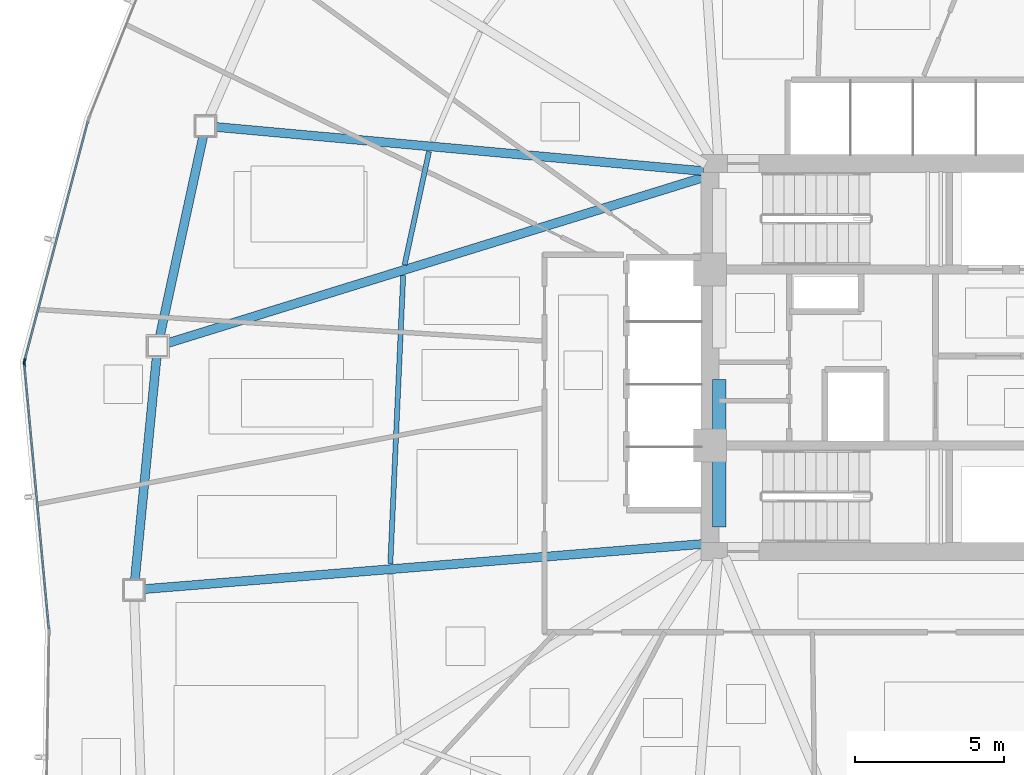
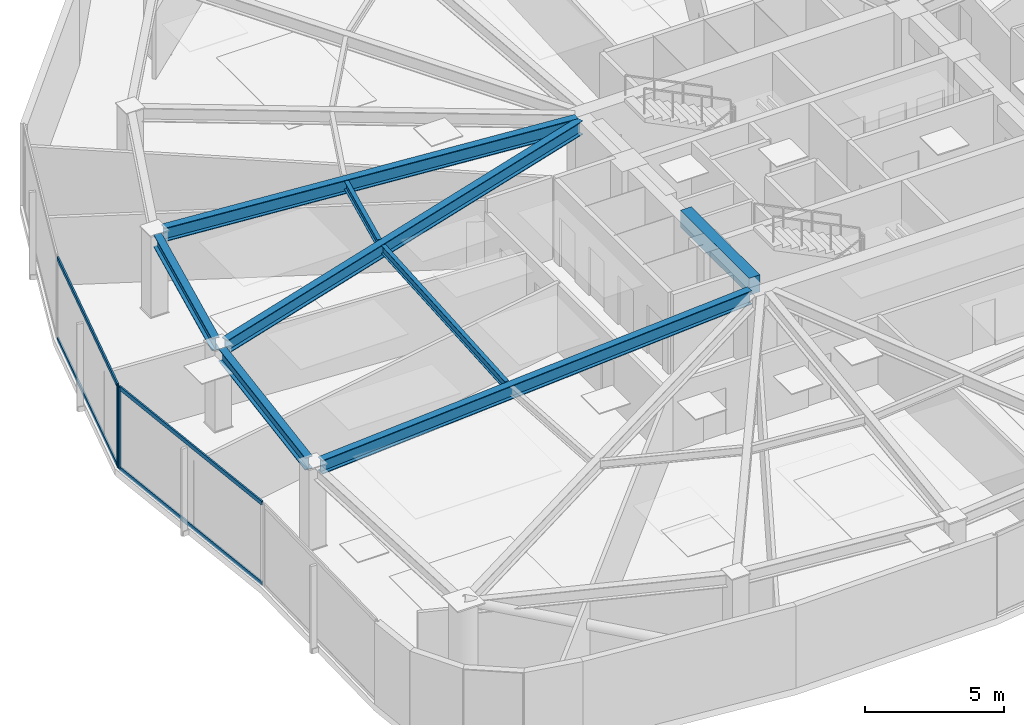
# One storey, part 4 of 17: 8 beams, 6 members, 2 elements without a shape of their own.
"""IFC4 building model written with IfcOpenShell, lengths in metres."""

from ifc_helpers import new_model, si_unit, direction, frame, origin, origin_2d, place, context, subcontext, project, spatial, rectangle, hollow_rectangle, i_section, extrude, source, transform, mapped, material, layer, layer_set, material_profile, profile_set, type_object, type_shapes, element, aggregate, save


model = new_model("IFC4")

# Units and contexts
model_context = context("Model", 3, precision=1e-05, world=origin(), true_north=direction((0.0, 1.0)))
body_context = subcontext(model_context, "Body", "Model", "MODEL_VIEW")
ifc_project = project(units=[si_unit("LENGTHUNIT", "METRE"), si_unit("AREAUNIT", "SQUARE_METRE"), si_unit("VOLUMEUNIT", "CUBIC_METRE"), si_unit("PLANEANGLEUNIT", "RADIAN"), si_unit("MASSUNIT", "GRAM", prefix="KILO")], contexts=[model_context])

# Site, building, storey
site_placement = place(None, origin())
site = spatial("IfcSite", under=ifc_project, at=site_placement, CompositionType="ELEMENT")
building_placement = place(site_placement, origin())
building = spatial("IfcBuilding", under=site, at=building_placement, Name="Tavelor Broadcast Tower", CompositionType="ELEMENT")
storey_placement = place(building_placement, frame((0.0, 0.0, 74.39990234375)))
storey = spatial("IfcBuildingStorey", under=building, at=storey_placement, Name="L17", CompositionType="ELEMENT", Elevation=74.39990234375)

# Beams
ifc_material_1 = material(Name="Concrete C40/50", Category="concrete")
ifc_material_profile_1 = material_profile(ifc_material_1, rectangle(XDim=0.449951171875, YDim=0.75, at=origin_2d()), Name="RC 450x750")
ifc_profile_set_1 = profile_set([ifc_material_profile_1], Name="Concrete C40/50")
beam_type_1 = type_object("IfcBeamType", Name="Basement Core Trim Beam 450x750", PredefinedType="BEAM", material=ifc_profile_set_1)
beam_1_placement = place(storey_placement, frame((43.39990234375, 39.327880859375, 3.22509765625), z_axis=(0.0, 1.0, 0.0), x_axis=(-1.0, 0.0, 0.0)))
element("IfcBeam", 1, at=beam_1_placement, inside=storey, type_object=beam_type_1, Name="L17 Core West-S Tie Girder", PredefinedType="BEAM", context=body_context, shape_type="SweptSolid", body=[
    extrude(rectangle(XDim=0.449951171875, YDim=0.75, at=origin_2d()), origin(), (0.0, 0.0, 1.0), 4.944091796875),
])
ifc_material_2 = material(Name="Steel S355", Category="steel")
ifc_material_profile_2 = material_profile(ifc_material_2, i_section(OverallWidth=0.169921875, OverallDepth=0.360107421875, WebThickness=0.008056640625, FlangeThickness=0.0126953125, at=origin_2d()), Name="IPE 360")
ifc_profile_set_2 = profile_set([ifc_material_profile_2], Name="Steel S355")
beam_type_2 = type_object("IfcBeamType", Name="Composite Floor Joist T2 IPE 360", PredefinedType="JOIST", material=ifc_profile_set_2)
beam_2_placement = place(storey_placement, frame((33.679931640625, 51.899658203125, 3.420166015625), z_axis=(-0.210632825907, -0.97756524726, 0.0), x_axis=(0.97756524726, -0.210632825907, 0.0)))
element("IfcBeam", 2, at=beam_2_placement, inside=storey, type_object=beam_type_2, Name="L17 Secondary Composite Floor Joist 04", PredefinedType="JOIST", context=body_context, shape_type="SweptSolid", body=[
    extrude(i_section(OverallWidth=0.169921875, OverallDepth=0.360107421875, WebThickness=0.008056640625, FlangeThickness=0.0126953125, at=origin_2d()), origin(), (0.0, 0.0, 1.0), 3.8818359375),
])
beam_3_placement = place(storey_placement, frame((32.816162109375, 47.747314453125, 3.420166015625), z_axis=(-0.044602263152, -0.999004823873, 0.0), x_axis=(0.999004823873, -0.044602263152, 0.0)))
element("IfcBeam", 3, at=beam_3_placement, inside=storey, type_object=beam_type_2, Name="L17 Secondary Composite Floor Joist 05", PredefinedType="JOIST", context=body_context, shape_type="SweptSolid", body=[
    extrude(i_section(OverallWidth=0.169921875, OverallDepth=0.360107421875, WebThickness=0.008056640625, FlangeThickness=0.0126953125, at=origin_2d()), origin(), (0.0, 0.0, 1.0), 9.66650390625),
])
ifc_material_profile_3 = material_profile(ifc_material_2, i_section(OverallWidth=0.300048828125, OverallDepth=0.550048828125, WebThickness=0.014892578125, FlangeThickness=0.029052734375, at=origin_2d()), Name="HEB 550")
ifc_profile_set_3 = profile_set([ifc_material_profile_3], Name="Steel S355")
beam_type_3 = type_object("IfcBeamType", Name="Perimeter Spandrel Beam T2 HEB 550", PredefinedType="SPANDREL", material=ifc_profile_set_3)
beam_4_placement = place(storey_placement, frame((26.1181640625, 52.4296875, 3.3251953125), z_axis=(-0.211875421449, -0.977296682582, 0.0), x_axis=(0.977296682582, -0.211875421449, 0.0)))
element("IfcBeam", 4, at=beam_4_placement, inside=storey, type_object=beam_type_3, Name="L17 Framed-Tube Ring Spandrel 04", PredefinedType="SPANDREL", context=body_context, shape_type="SweptSolid", body=[
    extrude(i_section(OverallWidth=0.300048828125, OverallDepth=0.550048828125, WebThickness=0.014892578125, FlangeThickness=0.029052734375, at=origin_2d()), origin(), (0.0, 0.0, 1.0), 6.876708984375),
])
beam_5_placement = place(storey_placement, frame((24.557373046875, 45.04638671875, 3.3251953125), z_axis=(-0.096929220198, -0.9952912771, 0.0), x_axis=(0.9952912771, -0.096929220198, 0.0)))
element("IfcBeam", 5, at=beam_5_placement, inside=storey, type_object=beam_type_3, Name="L17 Framed-Tube Ring Spandrel 05", PredefinedType="SPANDREL", context=body_context, shape_type="SweptSolid", body=[
    extrude(i_section(OverallWidth=0.300048828125, OverallDepth=0.550048828125, WebThickness=0.014892578125, FlangeThickness=0.029052734375, at=origin_2d()), origin(), (0.0, 0.0, 1.0), 7.531005859375),
])
ifc_material_profile_4 = material_profile(ifc_material_2, i_section(OverallWidth=0.300048828125, OverallDepth=0.60009765625, WebThickness=0.015380859375, FlangeThickness=0.030029296875, at=origin_2d()), Name="HEB 600")
ifc_profile_set_4 = profile_set([ifc_material_profile_4], Name="Steel S355")
beam_type_4 = type_object("IfcBeamType", Name="Radial Floor Girder T2 HEB 600", PredefinedType="BEAM", material=ifc_profile_set_4)
beam_6_placement = place(storey_placement, frame((42.874267578125, 51.24755859375, 3.300048828125), z_axis=(-0.99592702313, 0.090162989073, 0.0), x_axis=(-0.090162989073, -0.99592702313, 0.0)))
element("IfcBeam", 6, at=beam_6_placement, inside=storey, type_object=beam_type_4, Name="L17 Radial Primary Floor Girder 04", PredefinedType="BEAM", context=body_context, shape_type="SweptSolid", body=[
    extrude(i_section(OverallWidth=0.300048828125, OverallDepth=0.60009765625, WebThickness=0.015380859375, FlangeThickness=0.030029296875, at=origin_2d()), origin(), (0.0, 0.0, 1.0), 16.417236328125),
])
beam_7_placement = place(storey_placement, frame((42.8955078125, 51.0439453125, 3.300048828125), z_axis=(-0.9553264377, -0.295552698231, 0.0), x_axis=(0.295552698231, -0.9553264377, 0.0)))
element("IfcBeam", 7, at=beam_7_placement, inside=storey, type_object=beam_type_4, Name="L17 Radial Primary Floor Girder 05", PredefinedType="BEAM", context=body_context, shape_type="SweptSolid", body=[
    extrude(i_section(OverallWidth=0.300048828125, OverallDepth=0.60009765625, WebThickness=0.015380859375, FlangeThickness=0.030029296875, at=origin_2d()), origin(), (0.0, 0.0, 1.0), 18.82568359375),
])
beam_8_placement = place(storey_placement, frame((42.873779296875, 38.757568359375, 3.300048828125), z_axis=(-0.996753141144, -0.080518169498, 0.0), x_axis=(0.080518169498, -0.996753141144, 0.0)))
element("IfcBeam", 8, at=beam_8_placement, inside=storey, type_object=beam_type_4, Name="L17 Radial Primary Floor Girder 06", PredefinedType="BEAM", context=body_context, shape_type="SweptSolid", body=[
    extrude(i_section(OverallWidth=0.300048828125, OverallDepth=0.60009765625, WebThickness=0.015380859375, FlangeThickness=0.030029296875, at=origin_2d()), origin(), (0.0, 0.0, 1.0), 18.80517578125),
])

# Curtain wall, member
ifc_material_3 = material(Name="Architectural Anodized Aluminium", Category="aluminium")
ifc_layer = layer(ifc_material_3, 0.179931640625)
ifc_layer_set = layer_set([ifc_layer], Name="Architectural Anodized Aluminium")
curtain_wall_type = type_object("IfcCurtainWallType", Name="Tower Low-Zone Unitised Curtain Wall CW02", PredefinedType="NOTDEFINED", material=ifc_layer_set)
curtain_wall_1_placement = place(storey_placement, origin())
curtain_wall_1 = element("IfcCurtainWall", 9, at=curtain_wall_1_placement, inside=storey, type_object=curtain_wall_type, Name="L17 Curtain Wall CW02 Run 158", PredefinedType="NOTDEFINED")
ifc_material_profile_5 = material_profile(ifc_material_3, hollow_rectangle(XDim=0.06494140625, YDim=0.179931640625, WallThickness=0.02197265625, at=origin_2d()), Name="RHS 65x180x22")
ifc_profile_set_5 = profile_set([ifc_material_profile_5], Name="Architectural Anodized Aluminium")
member_type_1 = type_object("IfcMemberType", Name="CW02 Extruded Aluminium Mullion 65x180", PredefinedType="MULLION", material=ifc_profile_set_5)
shared_shape_1 = source(origin(), body_context, "Body", "SweptSolid", [
    extrude(hollow_rectangle(XDim=0.06494140625, YDim=0.179931640625, WallThickness=0.02197265625, at=origin_2d()), origin(), (0.0, 0.0, 1.0), 3.60009765625),
])
type_shapes(member_type_1, [shared_shape_1])
member_1_placement = place(storey_placement, frame((20.13134765625, 44.89013671875, 0.0), z_axis=(0.0, 0.0, 1.0), x_axis=(0.966709913086, -0.255874859924, 0.0)))
member_1 = element("IfcMember", 10, at=member_1_placement, type_object=member_type_1, Name="CW02 mullion 2", PredefinedType="MULLION", context=body_context, shape_type="MappedRepresentation", body=[
    mapped(shared_shape_1, transform((0.0, 0.0, 0.0), scale=1.0)),
])

curtain_wall_2_placement = place(storey_placement, origin())
curtain_wall_2 = element("IfcCurtainWall", 11, at=curtain_wall_2_placement, inside=storey, type_object=curtain_wall_type, Name="L17 Curtain Wall CW02 Run 159", PredefinedType="NOTDEFINED")
member_2_placement = place(storey_placement, frame((20.123779296875, 44.796875, 0.0), z_axis=(0.0, 0.0, 1.0), x_axis=(0.995736620635, 0.09224197703, 0.0)))
member_2 = element("IfcMember", 12, at=member_2_placement, type_object=member_type_1, Name="CW02 mullion 1", PredefinedType="MULLION", context=body_context, shape_type="MappedRepresentation", body=[
    mapped(shared_shape_1, transform((0.0, 0.0, 0.0), scale=1.0)),
])

# Member
ifc_material_profile_6 = material_profile(ifc_material_3, hollow_rectangle(XDim=0.06494140625, YDim=0.179931640625, WallThickness=0.02197265625, at=origin_2d()), Name="RHS 65x180x22")
ifc_profile_set_6 = profile_set([ifc_material_profile_6], Name="Architectural Anodized Aluminium")
member_type_2 = type_object("IfcMemberType", Name="CW02 Extruded Aluminium Transom 65x180", PredefinedType="USERDEFINED", material=ifc_profile_set_6)
shared_shape_2 = source(origin(), body_context, "Body", "SweptSolid", [
    extrude(hollow_rectangle(XDim=0.06494140625, YDim=0.179931640625, WallThickness=0.02197265625, at=origin_2d()), origin(), (0.0, 0.0, 1.0), 8.25537109375),
])
member_3_placement = place(storey_placement, frame((22.251953125, 52.902099609375, 0.03271484375), z_axis=(-0.255873051557, -0.966710391734, 0.0), x_axis=(0.966710391734, -0.255873051557, 0.0)))
member_3 = element("IfcMember", 13, at=member_3_placement, type_object=member_type_2, Name="CW02 transom 1.1", ObjectType="TRANSOM", PredefinedType="USERDEFINED", context=body_context, shape_type="MappedRepresentation", body=[
    mapped(shared_shape_2, transform((0.0, 0.0, 0.0), scale=1.0)),
])

member_4_placement = place(storey_placement, frame((22.251953125, 52.902099609375, 3.567626953125), z_axis=(-0.255873051557, -0.966710391734, 0.0), x_axis=(0.966710391734, -0.255873051557, 0.0)))
member_4 = element("IfcMember", 14, at=member_4_placement, type_object=member_type_2, Name="CW02 transom 1.2", ObjectType="TRANSOM", PredefinedType="USERDEFINED", context=body_context, shape_type="MappedRepresentation", body=[
    mapped(shared_shape_2, transform((0.0, 0.0, 0.0), scale=1.0)),
])

aggregate(curtain_wall_1, [member_1, member_3, member_4])

shared_shape_3 = source(origin(), body_context, "Body", "SweptSolid", [
    extrude(hollow_rectangle(XDim=0.06494140625, YDim=0.179931640625, WallThickness=0.02197265625, at=origin_2d()), origin(), (0.0, 0.0, 1.0), 8.8896484375),
])
type_shapes(member_type_2, [shared_shape_2, shared_shape_3])
member_5_placement = place(storey_placement, frame((20.126708984375, 44.764404296875, 0.03271484375), z_axis=(0.092249140294, -0.995735957026, 0.0), x_axis=(0.995735957026, 0.092249140294, 0.0)))
member_5 = element("IfcMember", 15, at=member_5_placement, type_object=member_type_2, Name="CW02 transom 1.1", ObjectType="TRANSOM", PredefinedType="USERDEFINED", context=body_context, shape_type="MappedRepresentation", body=[
    mapped(shared_shape_3, transform((0.0, 0.0, 0.0), scale=1.0)),
])

member_6_placement = place(storey_placement, frame((20.126708984375, 44.764404296875, 3.567626953125), z_axis=(0.092249140294, -0.995735957026, 0.0), x_axis=(0.995735957026, 0.092249140294, 0.0)))
member_6 = element("IfcMember", 16, at=member_6_placement, type_object=member_type_2, Name="CW02 transom 1.2", ObjectType="TRANSOM", PredefinedType="USERDEFINED", context=body_context, shape_type="MappedRepresentation", body=[
    mapped(shared_shape_3, transform((0.0, 0.0, 0.0), scale=1.0)),
])

aggregate(curtain_wall_2, [member_2, member_5, member_6])

save(model, "model.ifc")
